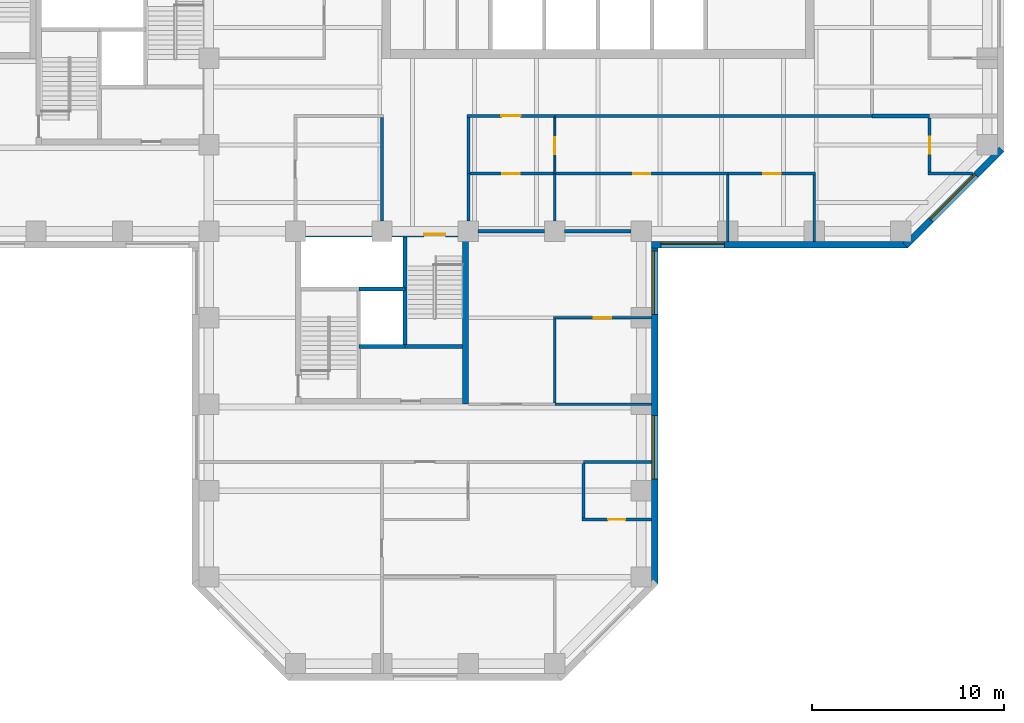
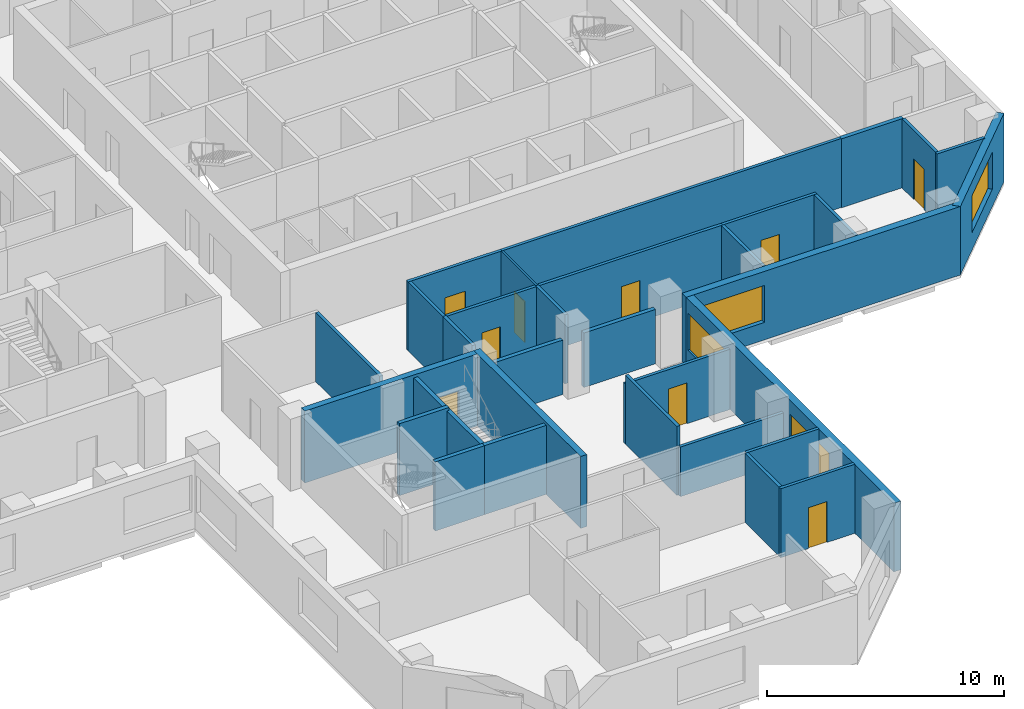
# One storey, part 4 of 11: 32 walls, 9 doors, 4 windows, 13 openings.
"""IFC4 building model written with IfcOpenShell, lengths in metres."""

from ifc_helpers import new_model, si_unit, direction, frame, frame_2d, origin, place, context, subcontext, project, spatial, rectangle, extrude, material, layer, layer_set, constituent, constituent_set, type_object, element, fill, save


model = new_model("IFC4")

# Units and contexts
model_context = context("Model", 3, precision=1e-05, world=origin(), true_north=direction((0.0, 1.0)))
body_context = subcontext(model_context, "Body", "Model", "MODEL_VIEW")
ifc_project = project(units=[si_unit("LENGTHUNIT", "METRE"), si_unit("AREAUNIT", "SQUARE_METRE"), si_unit("VOLUMEUNIT", "CUBIC_METRE"), si_unit("PLANEANGLEUNIT", "RADIAN"), si_unit("MASSUNIT", "GRAM", prefix="KILO")], contexts=[model_context])

# Site, building, storey
site_placement = place(None, origin())
site = spatial("IfcSite", under=ifc_project, at=site_placement, CompositionType="ELEMENT")
building_placement = place(site_placement, origin())
building = spatial("IfcBuilding", under=site, at=building_placement, Name="Quoin Convention Tower", CompositionType="ELEMENT")
storey_placement = place(building_placement, frame((0.0, 0.0, 104.800048828125)))
storey = spatial("IfcBuildingStorey", under=building, at=storey_placement, Name="L27", CompositionType="ELEMENT", Elevation=104.800048828125)

# Wall, opening, door
ifc_material_1 = material(Name="Plasterboard")
ifc_layer_1 = layer(ifc_material_1, 0.012451171875, Name="Finish")
ifc_material_2 = material(Name="Steel stud framing", Category="steel")
ifc_layer_2 = layer(ifc_material_2, 0.125, Name="Structure")
ifc_layer_3 = layer(ifc_material_1, 0.012451171875, Name="Finish")
ifc_layer_set_1 = layer_set([ifc_layer_1, ifc_layer_2, ifc_layer_3], Name="Steel stud framing")
wall_type_1 = type_object("IfcWallType", Name="Acoustic partition 150", PredefinedType="PARTITIONING", material=ifc_layer_set_1)
wall_1_placement = place(storey_placement, frame((49.574951171875, 43.5, 0.0), z_axis=(0.0, 0.0, 1.0), x_axis=(1.0, 0.0, 0.0)))
wall_1 = element("IfcWall", 1, at=wall_1_placement, inside=storey, type_object=wall_type_1, Name="pw-L27-013", PredefinedType="PARTITIONING", context=body_context, shape_type="SweptSolid", body=[
    extrude(rectangle(XDim=4.35009765625, YDim=0.14990234375, at=frame_2d((2.175048828125, 0.0))), origin(), (0.0, 0.0, 1.0), 3.550048828125),
])
opening_1_placement = place(wall_1_placement, frame((1.699951171875, 0.0, 0.0)))
opening_1 = element("IfcOpeningElement", 2, at=opening_1_placement, cuts=wall_1, Name="Opening DOL4-06", PredefinedType="OPENING", context=body_context, shape_type="SweptSolid", body=[
    extrude(rectangle(XDim=0.89990234375, YDim=2.10009765625, at=frame_2d((0.449951171875, 1.050048828125))), frame((0.0, 0.0849609375, 0.0), z_axis=(0.0, -1.0, 0.0), x_axis=(1.0, 0.0, 0.0)), (0.0, 0.0, 1.0), 0.169921875),
])
ifc_material_3 = material(Name="Steel door leaf", Category="steel")
door_type_1 = type_object("IfcDoorType", Name="Office door 900 x 2100", OperationType="SINGLE_SWING_RIGHT", PredefinedType="DOOR", material=ifc_material_3)
door_1_placement = place(opening_1_placement, origin())
door_1 = element("IfcDoor", 3, at=door_1_placement, inside=storey, type_object=door_type_1, Name="dr-L27-20", OperationType="SINGLE_SWING_RIGHT", OverallHeight=2.10009765625, OverallWidth=0.89990234375, PredefinedType="DOOR", context=body_context, shape_type="SweptSolid", body=[
    extrude(rectangle(XDim=0.89990234375, YDim=2.10009765625, at=frame_2d((0.449951171875, 1.050048828125))), frame((0.0, 0.02490234375, 0.0), z_axis=(0.0, -1.0, 0.0), x_axis=(1.0, 0.0, 0.0)), (0.0, 0.0, 1.0), 0.050048828125),
])
fill(opening_1, door_1)

wall_2_placement = place(storey_placement, frame((54.074951171875, 43.5, 0.0), z_axis=(0.0, 0.0, 1.0), x_axis=(1.0, 0.0, 0.0)))
wall_2 = element("IfcWall", 4, at=wall_2_placement, inside=storey, type_object=wall_type_1, Name="pw-L27-014", PredefinedType="PARTITIONING", context=body_context, shape_type="SweptSolid", body=[
    extrude(rectangle(XDim=8.925048828125, YDim=0.14990234375, at=frame_2d((4.46240234375, 0.0))), origin(), (0.0, 0.0, 1.0), 3.550048828125),
])
opening_2_placement = place(wall_2_placement, frame((4.0, 0.0, 0.0)))
opening_2 = element("IfcOpeningElement", 5, at=opening_2_placement, cuts=wall_2, Name="Opening DOL4-07", PredefinedType="OPENING", context=body_context, shape_type="SweptSolid", body=[
    extrude(rectangle(XDim=0.89990234375, YDim=2.10009765625, at=frame_2d((0.449951171875, 1.050048828125))), frame((0.0, 0.0849609375, 0.0), z_axis=(0.0, -1.0, 0.0), x_axis=(1.0, 0.0, 0.0)), (0.0, 0.0, 1.0), 0.169921875),
])
door_2_placement = place(opening_2_placement, origin())
door_2 = element("IfcDoor", 6, at=door_2_placement, inside=storey, type_object=door_type_1, Name="dr-L27-21", OperationType="SINGLE_SWING_RIGHT", OverallHeight=2.10009765625, OverallWidth=0.89990234375, PredefinedType="DOOR", context=body_context, shape_type="SweptSolid", body=[
    extrude(rectangle(XDim=0.89990234375, YDim=2.10009765625, at=frame_2d((0.449951171875, 1.050048828125))), frame((0.0, 0.02490234375, 0.0), z_axis=(0.0, -1.0, 0.0), x_axis=(1.0, 0.0, 0.0)), (0.0, 0.0, 1.0), 0.050048828125),
])
fill(opening_2, door_2)

wall_3_placement = place(storey_placement, frame((63.0, 43.5, 0.0), z_axis=(0.0, 0.0, 1.0), x_axis=(1.0, 0.0, 0.0)))
wall_3 = element("IfcWall", 7, at=wall_3_placement, inside=storey, type_object=wall_type_1, Name="pw-L27-015", PredefinedType="PARTITIONING", context=body_context, shape_type="SweptSolid", body=[
    extrude(rectangle(XDim=4.574951171875, YDim=0.14990234375, at=frame_2d((2.28759765625, 0.0))), origin(), (0.0, 0.0, 1.0), 3.550048828125),
])
opening_3_placement = place(wall_3_placement, frame((1.85009765625, 0.0, 0.0)))
opening_3 = element("IfcOpeningElement", 8, at=opening_3_placement, cuts=wall_3, Name="Opening DOL4-08", PredefinedType="OPENING", context=body_context, shape_type="SweptSolid", body=[
    extrude(rectangle(XDim=0.89990234375, YDim=2.10009765625, at=frame_2d((0.449951171875, 1.050048828125))), frame((0.0, 0.0849609375, 0.0), z_axis=(0.0, -1.0, 0.0), x_axis=(1.0, 0.0, 0.0)), (0.0, 0.0, 1.0), 0.169921875),
])
door_3_placement = place(opening_3_placement, origin())
door_3 = element("IfcDoor", 9, at=door_3_placement, inside=storey, type_object=door_type_1, Name="dr-L27-22", OperationType="SINGLE_SWING_RIGHT", OverallHeight=2.10009765625, OverallWidth=0.89990234375, PredefinedType="DOOR", context=body_context, shape_type="SweptSolid", body=[
    extrude(rectangle(XDim=0.89990234375, YDim=2.10009765625, at=frame_2d((0.449951171875, 1.050048828125))), frame((0.0, 0.02490234375, 0.0), z_axis=(0.0, -1.0, 0.0), x_axis=(1.0, 0.0, 0.0)), (0.0, 0.0, 1.0), 0.050048828125),
])
fill(opening_3, door_3)

# Walls
wall_4_placement = place(storey_placement, frame((54.0, 31.574951171875, 0.0), z_axis=(0.0, 0.0, 1.0), x_axis=(0.0, 1.0, 0.0)))
element("IfcWall", 10, at=wall_4_placement, inside=storey, type_object=wall_type_1, Name="pw-L27-056", PredefinedType="PARTITIONING", context=body_context, shape_type="SweptSolid", body=[
    extrude(rectangle(XDim=4.35009765625, YDim=0.14990234375, at=frame_2d((2.175048828125, 0.0))), origin(), (0.0, 0.0, 1.0), 3.550048828125),
])
for number, where, z_axis, x_axis, name in (
    (11, (63.0, 39.97509765625, 0.0), (0.0, 0.0, 1.0), (0.0, 1.0, 0.0), "pw-L27-058"),
    (12, (67.5, 39.97509765625, 0.0), (0.0, 0.0, 1.0), (0.0, 1.0, 0.0), "pw-L27-059"),
):
    element("IfcWall", number, at=place(storey_placement, frame(where, z_axis=z_axis, x_axis=x_axis)), inside=storey, type_object=wall_type_1, Name=name, PredefinedType="PARTITIONING", context=body_context, shape_type="SweptSolid", body=[
        extrude(rectangle(XDim=3.449951171875, YDim=0.14990234375, at=frame_2d((1.72509765625, 0.0))), origin(), (0.0, 0.0, 1.0), 3.550048828125),
    ])
wall_5_placement = place(storey_placement, frame((54.0, 41.02490234375, 0.0), z_axis=(0.0, 0.0, 1.0), x_axis=(0.0, 1.0, 0.0)))
element("IfcWall", 13, at=wall_5_placement, inside=storey, type_object=wall_type_1, Name="pw-L27-063", PredefinedType="PARTITIONING", context=body_context, shape_type="SweptSolid", body=[
    extrude(rectangle(XDim=2.47509765625, YDim=0.14990234375, at=frame_2d((1.237548828125, 0.0))), origin(), (0.0, 0.0, 1.0), 3.550048828125),
])

# Wall, opening, door
ifc_layer_4 = layer(ifc_material_1, 0.012451171875, Name="Finish")
ifc_layer_5 = layer(ifc_material_2, 0.125, Name="Structure")
ifc_layer_6 = layer(ifc_material_1, 0.012451171875, Name="Finish")
ifc_layer_set_2 = layer_set([ifc_layer_4, ifc_layer_5, ifc_layer_6], Name="Steel stud framing")
wall_type_2 = type_object("IfcWallType", Name="Acoustic partition 150 under beam 454", PredefinedType="PARTITIONING", material=ifc_layer_set_2)
wall_6_placement = place(storey_placement, frame((53.925048828125, 36.0, 0.0), z_axis=(0.0, 0.0, 1.0), x_axis=(1.0, 0.0, 0.0)))
wall_6 = element("IfcWall", 14, at=wall_6_placement, inside=storey, type_object=wall_type_2, Name="pw-L27-010", PredefinedType="PARTITIONING", context=body_context, shape_type="SweptSolid", body=[
    extrude(rectangle(XDim=5.099853515625, YDim=0.14990234375, at=frame_2d((2.5498046875, 0.0))), origin(), (0.0, 0.0, 1.0), 3.095947265625),
])
opening_4_placement = place(wall_6_placement, frame((2.10009765625, 0.0, 0.0)))
opening_4 = element("IfcOpeningElement", 15, at=opening_4_placement, cuts=wall_6, Name="Opening DOL4-05", PredefinedType="OPENING", context=body_context, shape_type="SweptSolid", body=[
    extrude(rectangle(XDim=0.89990234375, YDim=2.10009765625, at=frame_2d((0.449951171875, 1.050048828125))), frame((0.0, 0.0849609375, 0.0), z_axis=(0.0, -1.0, 0.0), x_axis=(1.0, 0.0, 0.0)), (0.0, 0.0, 1.0), 0.169921875),
])
door_4_placement = place(opening_4_placement, origin())
door_4 = element("IfcDoor", 16, at=door_4_placement, inside=storey, type_object=door_type_1, Name="dr-L27-16", OperationType="SINGLE_SWING_RIGHT", OverallHeight=2.10009765625, OverallWidth=0.89990234375, PredefinedType="DOOR", context=body_context, shape_type="SweptSolid", body=[
    extrude(rectangle(XDim=0.89990234375, YDim=2.10009765625, at=frame_2d((0.449951171875, 1.050048828125))), frame((0.0, 0.02490234375, 0.0), z_axis=(0.0, -1.0, 0.0), x_axis=(1.0, 0.0, 0.0)), (0.0, 0.0, 1.0), 0.050048828125),
])
fill(opening_4, door_4)

# Wall, opening, window
ifc_material_4 = material(Name="Brick masonry", Category="masonry")
ifc_layer_7 = layer(ifc_material_4, 0.35009765625)
ifc_layer_set_3 = layer_set([ifc_layer_7], Name="Brick masonry")
wall_type_3 = type_object("IfcWallType", Name="Brick facade wall", PredefinedType="STANDARD", material=ifc_layer_set_3)
wall_7_placement = place(storey_placement, frame((59.02490234375, 39.800048828125, 0.0), z_axis=(0.0, 0.0, 1.0), x_axis=(1.0, 0.0, 0.0)))
wall_7 = element("IfcWall", 17, at=wall_7_placement, inside=storey, type_object=wall_type_3, Name="fw-L27-58500_40500", PredefinedType="STANDARD", context=body_context, shape_type="SweptSolid", body=[
    extrude(rectangle(XDim=13.33740234375, YDim=0.35009765625, at=frame_2d((6.668701171875, 0.0))), origin(), (0.0, 0.0, 1.0), 3.52490234375),
])
opening_5_placement = place(wall_7_placement, frame((0.5, 0.0, 0.89990234375)))
opening_5 = element("IfcOpeningElement", 18, at=opening_5_placement, cuts=wall_7, Name="Opening W-02", PredefinedType="OPENING", context=body_context, shape_type="SweptSolid", body=[
    extrude(rectangle(XDim=3.300048828125, YDim=1.89990234375, at=frame_2d((1.64990234375, 0.949951171875))), frame((0.0, 0.18505859375, 0.0), z_axis=(0.0, -1.0, 0.0), x_axis=(1.0, 0.0, 0.0)), (0.0, 0.0, 1.0), 0.3701171875),
])
ifc_material_5 = material(Name="Aluminium", Category="aluminium")
ifc_constituent_1 = constituent(ifc_material_5, Name="Frame")
ifc_material_6 = material(Name="Insulated glass", Category="glass")
ifc_constituent_2 = constituent(ifc_material_6, Name="Glazing")
ifc_constituent_set = constituent_set(constituents=[ifc_constituent_1, ifc_constituent_2], Name="Aluminium")
window_type = type_object("IfcWindowType", Name="Office window", PartitioningType="DOUBLE_PANEL_VERTICAL", PredefinedType="WINDOW", material=ifc_constituent_set)
window_1_placement = place(opening_5_placement, origin())
window_1 = element("IfcWindow", 19, at=window_1_placement, inside=storey, type_object=window_type, Name="win-L27-60750_39800", OverallHeight=1.89990234375, OverallWidth=3.300048828125, PartitioningType="SINGLE_PANEL", PredefinedType="WINDOW", context=body_context, shape_type="SweptSolid", body=[
    extrude(rectangle(XDim=3.300048828125, YDim=1.89990234375, at=frame_2d((1.64990234375, 0.949951171875))), frame((0.0, 0.0849609375, 0.0), z_axis=(0.0, -1.0, 0.0), x_axis=(1.0, 0.0, 0.0)), (0.0, 0.0, 1.0), 0.06005859375),
])
fill(opening_5, window_1)

wall_8_placement = place(storey_placement, frame((72.23876953125, 39.748779296875, 0.0), z_axis=(0.0, 0.0, 1.0), x_axis=(0.707106781187, 0.707106781187, 0.0)))
wall_8 = element("IfcWall", 20, at=wall_8_placement, inside=storey, type_object=wall_type_3, Name="fw-L27-72000_40500", PredefinedType="STANDARD", context=body_context, shape_type="SweptSolid", body=[
    extrude(rectangle(XDim=7.088623046875, YDim=0.35009765625, at=frame_2d((3.54443359375, 0.0))), origin(), (0.0, 0.0, 1.0), 3.52490234375),
])
opening_6_placement = place(wall_8_placement, frame((1.894287109375, 0.0, 0.89990234375)))
opening_6 = element("IfcOpeningElement", 21, at=opening_6_placement, cuts=wall_8, Name="Opening W-02", PredefinedType="OPENING", context=body_context, shape_type="SweptSolid", body=[
    extrude(rectangle(XDim=3.300048828125, YDim=1.89990234375, at=frame_2d((1.64990234375, 0.949951171875))), frame((0.0, 0.18505859375, 0.0), z_axis=(0.0, -1.0, 0.0), x_axis=(1.0, 0.0, 0.0)), (0.0, 0.0, 1.0), 0.3701171875),
])
window_2_placement = place(opening_6_placement, origin())
window_2 = element("IfcWindow", 22, at=window_2_placement, inside=storey, type_object=window_type, Name="win-L27-74745_42255", OverallHeight=1.89990234375, OverallWidth=3.300048828125, PartitioningType="SINGLE_PANEL", PredefinedType="WINDOW", context=body_context, shape_type="SweptSolid", body=[
    extrude(rectangle(XDim=3.300048828125, YDim=1.89990234375, at=frame_2d((1.64990234375, 0.949951171875))), frame((0.0, 0.0849609375, 0.0), z_axis=(0.0, -1.0, 0.0), x_axis=(1.0, 0.0, 0.0)), (0.0, 0.0, 1.0), 0.06005859375),
])
fill(opening_6, window_2)

# Wall, openings, windows
wall_9_placement = place(storey_placement, frame((59.199951171875, 22.1376953125, 0.0), z_axis=(0.0, 0.0, 1.0), x_axis=(0.0, 1.0, 0.0)))
wall_9 = element("IfcWall", 23, at=wall_9_placement, inside=storey, type_object=wall_type_3, Name="fw-L27-58500_22500", PredefinedType="STANDARD", context=body_context, shape_type="SweptSolid", body=[
    extrude(rectangle(XDim=17.83740234375, YDim=0.35009765625, at=frame_2d((8.918701171875, 0.0))), origin(), (0.0, 0.0, 1.0), 3.52490234375),
])
opening_7_placement = place(wall_9_placement, frame((5.46240234375, 0.0, 0.89990234375)))
opening_7 = element("IfcOpeningElement", 24, at=opening_7_placement, cuts=wall_9, Name="Opening W-02", PredefinedType="OPENING", context=body_context, shape_type="SweptSolid", body=[
    extrude(rectangle(XDim=3.300048828125, YDim=1.89990234375, at=frame_2d((1.64990234375, 0.949951171875))), frame((0.0, 0.18505859375, 0.0), z_axis=(0.0, -1.0, 0.0), x_axis=(1.0, 0.0, 0.0)), (0.0, 0.0, 1.0), 0.3701171875),
])
opening_8_placement = place(wall_9_placement, frame((14.037353515625, 0.0, 0.89990234375)))
opening_8 = element("IfcOpeningElement", 25, at=opening_8_placement, cuts=wall_9, Name="Opening W-02", PredefinedType="OPENING", context=body_context, shape_type="SweptSolid", body=[
    extrude(rectangle(XDim=3.300048828125, YDim=1.89990234375, at=frame_2d((1.64990234375, 0.949951171875))), frame((0.0, 0.18505859375, 0.0), z_axis=(0.0, -1.0, 0.0), x_axis=(1.0, 0.0, 0.0)), (0.0, 0.0, 1.0), 0.3701171875),
])
window_3_placement = place(opening_7_placement, origin())
window_3 = element("IfcWindow", 26, at=window_3_placement, inside=storey, type_object=window_type, Name="win-L27-59200_29250", OverallHeight=1.89990234375, OverallWidth=3.300048828125, PartitioningType="SINGLE_PANEL", PredefinedType="WINDOW", context=body_context, shape_type="SweptSolid", body=[
    extrude(rectangle(XDim=3.300048828125, YDim=1.89990234375, at=frame_2d((1.64990234375, 0.949951171875))), frame((0.0, 0.0849609375, 0.0), z_axis=(0.0, -1.0, 0.0), x_axis=(1.0, 0.0, 0.0)), (0.0, 0.0, 1.0), 0.06005859375),
])
fill(opening_7, window_3)
window_4_placement = place(opening_8_placement, origin())
window_4 = element("IfcWindow", 27, at=window_4_placement, inside=storey, type_object=window_type, Name="win-L27-59200_38250", OverallHeight=1.89990234375, OverallWidth=3.300048828125, PartitioningType="SINGLE_PANEL", PredefinedType="WINDOW", context=body_context, shape_type="SweptSolid", body=[
    extrude(rectangle(XDim=3.300048828125, YDim=1.89990234375, at=frame_2d((1.64990234375, 0.949951171875))), frame((0.0, 0.0849609375, 0.0), z_axis=(0.0, -1.0, 0.0), x_axis=(1.0, 0.0, 0.0)), (0.0, 0.0, 1.0), 0.06005859375),
])
fill(opening_8, window_4)

# Walls
ifc_material_7 = material(Name="Concrete C50", Category="concrete")
ifc_layer_8 = layer(ifc_material_7, 0.199951171875)
ifc_layer_set_4 = layer_set([ifc_layer_8], Name="Concrete C50")
wall_type_4 = type_object("IfcWallType", Name="Core shaft wall", PredefinedType="SOLIDWALL", material=ifc_layer_set_4)
wall_10_placement = place(storey_placement, frame((43.800048828125, 34.5, 0.0), z_axis=(0.0, 0.0, 1.0), x_axis=(1.0, 0.0, 0.0)))
element("IfcWall", 28, at=wall_10_placement, inside=storey, type_object=wall_type_4, Name="cr-P3-L27-h3000_3300", PredefinedType="SOLIDWALL", context=body_context, shape_type="SweptSolid", body=[
    extrude(rectangle(XDim=2.39990234375, YDim=0.199951171875, at=frame_2d((1.199951171875, 0.0))), origin(), (0.0, 0.0, 1.0), 3.550048828125),
])
wall_11_placement = place(storey_placement, frame((46.199951171875, 34.5, 0.0), z_axis=(0.0, 0.0, 1.0), x_axis=(1.0, 0.0, 0.0)))
element("IfcWall", 29, at=wall_11_placement, inside=storey, type_object=wall_type_4, Name="cr-P3-L27-h3000_5700", PredefinedType="SOLIDWALL", context=body_context, shape_type="SweptSolid", body=[
    extrude(rectangle(XDim=3.0, YDim=0.199951171875, at=frame_2d((1.5, 0.0))), origin(), (0.0, 0.0, 1.0), 3.550048828125),
])
wall_12_placement = place(storey_placement, frame((46.199951171875, 34.5, 0.0), z_axis=(0.0, 0.0, 1.0), x_axis=(0.0, 1.0, 0.0)))
element("IfcWall", 30, at=wall_12_placement, inside=storey, type_object=wall_type_4, Name="cr-P3-L27-v5700_3000", PredefinedType="SOLIDWALL", context=body_context, shape_type="SweptSolid", body=[
    extrude(rectangle(XDim=5.699951171875, YDim=0.199951171875, at=frame_2d((2.85009765625, 0.0))), origin(), (0.0, 0.0, 1.0), 3.550048828125),
])
ifc_layer_9 = layer(ifc_material_7, 0.199951171875)
ifc_layer_set_5 = layer_set([ifc_layer_9], Name="Concrete C50")
wall_type_5 = type_object("IfcWallType", Name="Core shaft wall to the floor level over", PredefinedType="SOLIDWALL", material=ifc_layer_set_5)
wall_13_placement = place(storey_placement, frame((43.800048828125, 37.5, 0.0), z_axis=(0.0, 0.0, 1.0), x_axis=(1.0, 0.0, 0.0)))
element("IfcWall", 31, at=wall_13_placement, inside=storey, type_object=wall_type_5, Name="cr-P3-L27-h6000_3300", PredefinedType="SOLIDWALL", context=body_context, shape_type="SweptSolid", body=[
    extrude(rectangle(XDim=2.39990234375, YDim=0.199951171875, at=frame_2d((1.199951171875, 0.0))), origin(), (0.0, 0.0, 1.0), 3.699951171875),
])
ifc_layer_10 = layer(ifc_material_1, 0.012451171875, Name="Finish")
ifc_layer_11 = layer(ifc_material_2, 0.125, Name="Structure")
ifc_layer_12 = layer(ifc_material_1, 0.012451171875, Name="Finish")
ifc_layer_set_6 = layer_set([ifc_layer_10, ifc_layer_11, ifc_layer_12], Name="Steel stud framing")
wall_type_6 = type_object("IfcWallType", Name="Corridor wall 150", PredefinedType="PARTITIONING", material=ifc_layer_set_6)
wall_14_placement = place(storey_placement, frame((55.5, 28.5, 0.0), z_axis=(0.0, 0.0, 1.0), x_axis=(1.0, 0.0, 0.0)))
element("IfcWall", 32, at=wall_14_placement, inside=storey, type_object=wall_type_6, Name="pw-L27-007", PredefinedType="PARTITIONING", context=body_context, shape_type="SweptSolid", body=[
    extrude(rectangle(XDim=3.52490234375, YDim=0.14990234375, at=frame_2d((1.762451171875, 0.0))), origin(), (0.0, 0.0, 1.0), 3.550048828125),
])

# Wall, opening, door
wall_15_placement = place(storey_placement, frame((49.425048828125, 46.5, 0.0), z_axis=(0.0, 0.0, 1.0), x_axis=(1.0, 0.0, 0.0)))
wall_15 = element("IfcWall", 33, at=wall_15_placement, inside=storey, type_object=wall_type_6, Name="pw-L27-018", PredefinedType="PARTITIONING", context=body_context, shape_type="SweptSolid", body=[
    extrude(rectangle(XDim=4.574951171875, YDim=0.14990234375, at=frame_2d((2.28759765625, 0.0))), origin(), (0.0, 0.0, 1.0), 3.550048828125),
])
opening_9_placement = place(wall_15_placement, frame((1.800048828125, 0.0, 0.0)))
opening_9 = element("IfcOpeningElement", 34, at=opening_9_placement, cuts=wall_15, Name="Opening DOL4-09", PredefinedType="OPENING", context=body_context, shape_type="SweptSolid", body=[
    extrude(rectangle(XDim=1.0, YDim=2.10009765625, at=frame_2d((0.5, 1.050048828125))), frame((0.0, 0.0849609375, 0.0), z_axis=(0.0, -1.0, 0.0), x_axis=(1.0, 0.0, 0.0)), (0.0, 0.0, 1.0), 0.169921875),
])
door_type_2 = type_object("IfcDoorType", Name="Tenancy entrance door 1000 x 2100", OperationType="DOUBLE_DOOR_SINGLE_SWING", PredefinedType="DOOR", material=ifc_material_3)
door_5_placement = place(opening_9_placement, frame((1.0, 0.0, 0.0), z_axis=(0.0, 0.0, 1.0), x_axis=(-1.0, 0.0, 0.0)))
door_5 = element("IfcDoor", 35, at=door_5_placement, inside=storey, type_object=door_type_2, Name="dr-L27-17", OperationType="DOUBLE_DOOR_SINGLE_SWING", OverallHeight=2.10009765625, OverallWidth=1.0, PredefinedType="DOOR", context=body_context, shape_type="SweptSolid", body=[
    extrude(rectangle(XDim=1.0, YDim=2.10009765625, at=frame_2d((0.5, 1.050048828125))), frame((0.0, 0.02490234375, 0.0), z_axis=(0.0, -1.0, 0.0), x_axis=(1.0, 0.0, 0.0)), (0.0, 0.0, 1.0), 0.050048828125),
])
fill(opening_9, door_5)

# Walls
wall_16_placement = place(storey_placement, frame((54.0, 46.5, 0.0), z_axis=(0.0, 0.0, 1.0), x_axis=(1.0, 0.0, 0.0)))
element("IfcWall", 36, at=wall_16_placement, inside=storey, type_object=wall_type_6, Name="pw-L27-019", PredefinedType="PARTITIONING", context=body_context, shape_type="SweptSolid", body=[
    extrude(rectangle(XDim=16.5, YDim=0.14990234375, at=frame_2d((8.25, 0.0))), origin(), (0.0, 0.0, 1.0), 3.550048828125),
])
wall_17_placement = place(storey_placement, frame((45.0, 41.02490234375, 0.0), z_axis=(0.0, 0.0, 1.0), x_axis=(0.0, 1.0, 0.0)))
element("IfcWall", 37, at=wall_17_placement, inside=storey, type_object=wall_type_6, Name="pw-L27-061", PredefinedType="PARTITIONING", context=body_context, shape_type="SweptSolid", body=[
    extrude(rectangle(XDim=5.400146484375, YDim=0.14990234375, at=frame_2d((2.7001953125, 0.0))), origin(), (0.0, 0.0, 1.0), 3.550048828125),
])
wall_18_placement = place(storey_placement, frame((49.5, 41.02490234375, 0.0), z_axis=(0.0, 0.0, 1.0), x_axis=(0.0, 1.0, 0.0)))
element("IfcWall", 38, at=wall_18_placement, inside=storey, type_object=wall_type_6, Name="pw-L27-062", PredefinedType="PARTITIONING", context=body_context, shape_type="SweptSolid", body=[
    extrude(rectangle(XDim=2.47509765625, YDim=0.14990234375, at=frame_2d((1.237548828125, 0.0))), origin(), (0.0, 0.0, 1.0), 3.550048828125),
])
wall_19_placement = place(storey_placement, frame((49.5, 43.5, 0.0), z_axis=(0.0, 0.0, 1.0), x_axis=(0.0, 1.0, 0.0)))
element("IfcWall", 39, at=wall_19_placement, inside=storey, type_object=wall_type_6, Name="pw-L27-064", PredefinedType="PARTITIONING", context=body_context, shape_type="SweptSolid", body=[
    extrude(rectangle(XDim=2.925048828125, YDim=0.14990234375, at=frame_2d((1.46240234375, 0.0))), origin(), (0.0, 0.0, 1.0), 3.550048828125),
])
ifc_layer_13 = layer(ifc_material_1, 0.012451171875, Name="Finish")
ifc_layer_14 = layer(ifc_material_2, 0.125, Name="Structure")
ifc_layer_15 = layer(ifc_material_1, 0.012451171875, Name="Finish")
ifc_layer_set_7 = layer_set([ifc_layer_13, ifc_layer_14, ifc_layer_15], Name="Steel stud framing")
wall_type_7 = type_object("IfcWallType", Name="Corridor wall 150 under beam 1000", PredefinedType="PARTITIONING", material=ifc_layer_set_7)
wall_20_placement = place(storey_placement, frame((54.0, 31.5, 0.0), z_axis=(0.0, 0.0, 1.0), x_axis=(1.0, 0.0, 0.0)))
element("IfcWall", 40, at=wall_20_placement, inside=storey, type_object=wall_type_7, Name="pw-L27-009", PredefinedType="PARTITIONING", context=body_context, shape_type="SweptSolid", body=[
    extrude(rectangle(XDim=5.02490234375, YDim=0.14990234375, at=frame_2d((2.512451171875, 0.0))), origin(), (0.0, 0.0, 1.0), 2.550048828125),
])

# Wall, opening, door
ifc_material_8 = material(Name="Concrete C65", Category="concrete")
ifc_layer_16 = layer(ifc_material_8, 0.300048828125)
ifc_layer_set_8 = layer_set([ifc_layer_16], Name="Concrete C65")
wall_type_8 = type_object("IfcWallType", Name="RC CORE WALL 300 C65", PredefinedType="SHEAR", material=ifc_layer_set_8)
wall_21_placement = place(storey_placement, frame((40.800048828125, 40.35009765625, 0.0), z_axis=(0.0, 0.0, 1.0), x_axis=(1.0, 0.0, 0.0)))
wall_21 = element("IfcWall", 41, at=wall_21_placement, inside=storey, type_object=wall_type_8, Name="cwl-P3-L27-N", PredefinedType="SHEAR", context=body_context, shape_type="SweptSolid", body=[
    extrude(rectangle(XDim=8.39990234375, YDim=0.300048828125, at=frame_2d((4.199951171875, 0.0))), origin(), (0.0, 0.0, 1.0), 3.699951171875),
])
opening_10_placement = place(wall_21_placement, frame((6.39990234375, 0.0, 0.0)))
opening_10 = element("IfcOpeningElement", 42, at=opening_10_placement, cuts=wall_21, Name="Opening SD6", PredefinedType="OPENING", context=body_context, shape_type="SweptSolid", body=[
    extrude(rectangle(XDim=1.10009765625, YDim=2.10009765625, at=frame_2d((0.550048828125, 1.050048828125))), frame((0.0, 0.159912109375, 0.0), z_axis=(0.0, -1.0, 0.0), x_axis=(1.0, 0.0, 0.0)), (0.0, 0.0, 1.0), 0.320068359375),
])
door_type_3 = type_object("IfcDoorType", Name="Stair door 1100 x 2100", OperationType="SINGLE_SWING_RIGHT", PredefinedType="DOOR", material=ifc_material_3)
door_6_placement = place(opening_10_placement, frame((1.10009765625, 0.0, 0.0), z_axis=(0.0, 0.0, 1.0), x_axis=(-1.0, 0.0, 0.0)))
door_6 = element("IfcDoor", 43, at=door_6_placement, inside=storey, type_object=door_type_3, Name="cd-P3-L27-SB-N", OperationType="SINGLE_SWING_LEFT", OverallHeight=2.10009765625, OverallWidth=1.10009765625, PredefinedType="DOOR", context=body_context, shape_type="SweptSolid", body=[
    extrude(rectangle(XDim=1.10009765625, YDim=2.10009765625, at=frame_2d((0.550048828125, 1.050048828125))), frame((0.0, 0.02490234375, 0.0), z_axis=(0.0, -1.0, 0.0), x_axis=(1.0, 0.0, 0.0)), (0.0, 0.0, 1.0), 0.050048828125),
])
fill(opening_10, door_6)

# Wall
wall_22_placement = place(storey_placement, frame((49.35009765625, 31.5, 0.0), z_axis=(0.0, 0.0, 1.0), x_axis=(0.0, 1.0, 0.0)))
element("IfcWall", 44, at=wall_22_placement, inside=storey, type_object=wall_type_8, Name="cwl-P3-L27-E", PredefinedType="SHEAR", context=body_context, shape_type="SweptSolid", body=[
    extrude(rectangle(XDim=9.0, YDim=0.300048828125, at=frame_2d((4.5, 0.0))), origin(), (0.0, 0.0, 1.0), 3.699951171875),
])

# Wall, opening, door
ifc_layer_17 = layer(ifc_material_1, 0.012451171875, Name="Finish")
ifc_layer_18 = layer(ifc_material_2, 0.074951171875, Name="Structure")
ifc_layer_19 = layer(ifc_material_1, 0.012451171875, Name="Finish")
ifc_layer_set_9 = layer_set([ifc_layer_17, ifc_layer_18, ifc_layer_19], Name="Steel stud framing")
wall_type_9 = type_object("IfcWallType", Name="Stud partition 100", PredefinedType="PARTITIONING", material=ifc_layer_set_9)
wall_23_placement = place(storey_placement, frame((54.0, 43.5, 0.0), z_axis=(0.0, 0.0, 1.0), x_axis=(0.0, 1.0, 0.0)))
wall_23 = element("IfcWall", 45, at=wall_23_placement, inside=storey, type_object=wall_type_9, Name="pw-L27-065", PredefinedType="PARTITIONING", context=body_context, shape_type="SweptSolid", body=[
    extrude(rectangle(XDim=2.925048828125, YDim=0.10009765625, at=frame_2d((1.46240234375, 0.0))), origin(), (0.0, 0.0, 1.0), 3.550048828125),
])
opening_11_placement = place(wall_23_placement, frame((1.0, 0.0, 0.0)))
opening_11 = element("IfcOpeningElement", 46, at=opening_11_placement, cuts=wall_23, Name="Opening DOL4-20", PredefinedType="OPENING", context=body_context, shape_type="SweptSolid", body=[
    extrude(rectangle(XDim=0.89990234375, YDim=2.10009765625, at=frame_2d((0.449951171875, 1.050048828125))), frame((0.0, 0.06005859375, 0.0), z_axis=(0.0, -1.0, 0.0), x_axis=(1.0, 0.0, 0.0)), (0.0, 0.0, 1.0), 0.1201171875),
])
door_7_placement = place(opening_11_placement, frame((0.89990234375, 0.0, 0.0), z_axis=(0.0, 0.0, 1.0), x_axis=(-1.0, 0.0, 0.0)))
door_7 = element("IfcDoor", 47, at=door_7_placement, inside=storey, type_object=door_type_1, Name="dr-L27-18", OperationType="SINGLE_SWING_RIGHT", OverallHeight=2.10009765625, OverallWidth=0.89990234375, PredefinedType="DOOR", context=body_context, shape_type="SweptSolid", body=[
    extrude(rectangle(XDim=0.89990234375, YDim=2.10009765625, at=frame_2d((0.449951171875, 1.050048828125))), frame((0.0, 0.02490234375, 0.0), z_axis=(0.0, -1.0, 0.0), x_axis=(1.0, 0.0, 0.0)), (0.0, 0.0, 1.0), 0.050048828125),
])
fill(opening_11, door_7)

# Walls
ifc_layer_20 = layer(ifc_material_1, 0.012451171875, Name="Finish")
ifc_layer_21 = layer(ifc_material_2, 0.175048828125, Name="Structure")
ifc_layer_22 = layer(ifc_material_1, 0.012451171875, Name="Finish")
ifc_layer_set_10 = layer_set([ifc_layer_20, ifc_layer_21, ifc_layer_22], Name="Steel stud framing")
wall_type_10 = type_object("IfcWallType", Name="Tenancy demising wall 200", PredefinedType="PARTITIONING", material=ifc_layer_set_10)
wall_24_placement = place(storey_placement, frame((70.5, 46.5, 0.0), z_axis=(0.0, 0.0, 1.0), x_axis=(1.0, 0.0, 0.0)))
element("IfcWall", 48, at=wall_24_placement, inside=storey, type_object=wall_type_10, Name="pw-L27-020", PredefinedType="PARTITIONING", context=body_context, shape_type="SweptSolid", body=[
    extrude(rectangle(XDim=3.0, YDim=0.199951171875, at=frame_2d((1.5, 0.0))), origin(), (0.0, 0.0, 1.0), 3.550048828125),
])
ifc_layer_23 = layer(ifc_material_1, 0.012451171875, Name="Finish")
ifc_layer_24 = layer(ifc_material_2, 0.175048828125, Name="Structure")
ifc_layer_25 = layer(ifc_material_1, 0.012451171875, Name="Finish")
ifc_layer_set_11 = layer_set([ifc_layer_23, ifc_layer_24, ifc_layer_25], Name="Steel stud framing")
wall_type_11 = type_object("IfcWallType", Name="Tenancy demising wall 200 under beam 750", PredefinedType="PARTITIONING", material=ifc_layer_set_11)
wall_25_placement = place(storey_placement, frame((50.014892578125, 40.5, 0.0), z_axis=(0.0, 0.0, 1.0), x_axis=(1.0, 0.0, 0.0)))
element("IfcWall", 49, at=wall_25_placement, inside=storey, type_object=wall_type_11, Name="pw-L27-011", PredefinedType="PARTITIONING", context=body_context, shape_type="SweptSolid", body=[
    extrude(rectangle(XDim=3.460205078125, YDim=0.199951171875, at=frame_2d((1.72998046875, 0.0))), origin(), (0.0, 0.0, 1.0), 2.800048828125),
])
wall_26_placement = place(storey_placement, frame((54.4951171875, 40.5, 0.0), z_axis=(0.0, 0.0, 1.0), x_axis=(1.0, 0.0, 0.0)))
element("IfcWall", 50, at=wall_26_placement, inside=storey, type_object=wall_type_11, Name="pw-L27-012", PredefinedType="PARTITIONING", context=body_context, shape_type="SweptSolid", body=[
    extrude(rectangle(XDim=3.47998046875, YDim=0.199951171875, at=frame_2d((1.739990234375, 0.0))), origin(), (0.0, 0.0, 1.0), 2.800048828125),
])

# Wall, opening, door
ifc_layer_26 = layer(ifc_material_1, 0.012451171875, Name="Finish")
ifc_layer_27 = layer(ifc_material_2, 0.125, Name="Structure")
ifc_layer_28 = layer(ifc_material_1, 0.012451171875, Name="Finish")
ifc_layer_set_12 = layer_set([ifc_layer_26, ifc_layer_27, ifc_layer_28], Name="Steel stud framing")
wall_type_12 = type_object("IfcWallType", Name="Wet area partition 150", PredefinedType="PARTITIONING", material=ifc_layer_set_12)
wall_27_placement = place(storey_placement, frame((55.425048828125, 25.5, 0.0), z_axis=(0.0, 0.0, 1.0), x_axis=(1.0, 0.0, 0.0)))
wall_27 = element("IfcWall", 51, at=wall_27_placement, inside=storey, type_object=wall_type_12, Name="pw-L27-003", PredefinedType="PARTITIONING", context=body_context, shape_type="SweptSolid", body=[
    extrude(rectangle(XDim=3.599853515625, YDim=0.14990234375, at=frame_2d((1.7998046875, 0.0))), origin(), (0.0, 0.0, 1.0), 3.550048828125),
])
opening_12_placement = place(wall_27_placement, frame((1.35009765625, 0.0, 0.0)))
opening_12 = element("IfcOpeningElement", 52, at=opening_12_placement, cuts=wall_27, Name="Opening DOL4-02", PredefinedType="OPENING", context=body_context, shape_type="SweptSolid", body=[
    extrude(rectangle(XDim=0.89990234375, YDim=2.10009765625, at=frame_2d((0.449951171875, 1.050048828125))), frame((0.0, 0.0849609375, 0.0), z_axis=(0.0, -1.0, 0.0), x_axis=(1.0, 0.0, 0.0)), (0.0, 0.0, 1.0), 0.169921875),
])
door_8_placement = place(opening_12_placement, frame((0.89990234375, 0.0, 0.0), z_axis=(0.0, 0.0, 1.0), x_axis=(-1.0, 0.0, 0.0)))
door_8 = element("IfcDoor", 53, at=door_8_placement, inside=storey, type_object=door_type_1, Name="dr-L27-12", OperationType="SINGLE_SWING_LEFT", OverallHeight=2.10009765625, OverallWidth=0.89990234375, PredefinedType="DOOR", context=body_context, shape_type="SweptSolid", body=[
    extrude(rectangle(XDim=0.89990234375, YDim=2.10009765625, at=frame_2d((0.449951171875, 1.050048828125))), frame((0.0, 0.02490234375, 0.0), z_axis=(0.0, -1.0, 0.0), x_axis=(1.0, 0.0, 0.0)), (0.0, 0.0, 1.0), 0.050048828125),
])
fill(opening_12, door_8)

# Walls
wall_28_placement = place(storey_placement, frame((73.425048828125, 43.5, 0.0), z_axis=(0.0, 0.0, 1.0), x_axis=(1.0, 0.0, 0.0)))
element("IfcWall", 54, at=wall_28_placement, inside=storey, type_object=wall_type_12, Name="pw-L27-016", PredefinedType="PARTITIONING", context=body_context, shape_type="SweptSolid", body=[
    extrude(rectangle(XDim=2.3173828125, YDim=0.14990234375, at=frame_2d((1.15869140625, 0.0))), origin(), (0.0, 0.0, 1.0), 3.550048828125),
])
wall_29_placement = place(storey_placement, frame((55.5, 25.574951171875, 0.0), z_axis=(0.0, 0.0, 1.0), x_axis=(0.0, 1.0, 0.0)))
element("IfcWall", 55, at=wall_29_placement, inside=storey, type_object=wall_type_12, Name="pw-L27-055", PredefinedType="PARTITIONING", context=body_context, shape_type="SweptSolid", body=[
    extrude(rectangle(XDim=2.85009765625, YDim=0.14990234375, at=frame_2d((1.425048828125, 0.0))), origin(), (0.0, 0.0, 1.0), 3.550048828125),
])

# Wall, opening, door
wall_30_placement = place(storey_placement, frame((73.5, 43.574951171875, 0.0), z_axis=(0.0, 0.0, 1.0), x_axis=(0.0, 1.0, 0.0)))
wall_30 = element("IfcWall", 56, at=wall_30_placement, inside=storey, type_object=wall_type_12, Name="pw-L27-066", PredefinedType="PARTITIONING", context=body_context, shape_type="SweptSolid", body=[
    extrude(rectangle(XDim=2.824951171875, YDim=0.14990234375, at=frame_2d((1.41259765625, 0.0))), origin(), (0.0, 0.0, 1.0), 3.550048828125),
])
opening_13_placement = place(wall_30_placement, frame((0.949951171875, 0.0, 0.0)))
opening_13 = element("IfcOpeningElement", 57, at=opening_13_placement, cuts=wall_30, Name="Opening DOL4-21", PredefinedType="OPENING", context=body_context, shape_type="SweptSolid", body=[
    extrude(rectangle(XDim=0.89990234375, YDim=2.10009765625, at=frame_2d((0.449951171875, 1.050048828125))), frame((0.0, 0.0849609375, 0.0), z_axis=(0.0, -1.0, 0.0), x_axis=(1.0, 0.0, 0.0)), (0.0, 0.0, 1.0), 0.169921875),
])
door_9_placement = place(opening_13_placement, origin())
door_9 = element("IfcDoor", 58, at=door_9_placement, inside=storey, type_object=door_type_1, Name="dr-L27-19", OperationType="SINGLE_SWING_RIGHT", OverallHeight=2.10009765625, OverallWidth=0.89990234375, PredefinedType="DOOR", context=body_context, shape_type="SweptSolid", body=[
    extrude(rectangle(XDim=0.89990234375, YDim=2.10009765625, at=frame_2d((0.449951171875, 1.050048828125))), frame((0.0, 0.02490234375, 0.0), z_axis=(0.0, -1.0, 0.0), x_axis=(1.0, 0.0, 0.0)), (0.0, 0.0, 1.0), 0.050048828125),
])
fill(opening_13, door_9)

save(model, "model.ifc")
